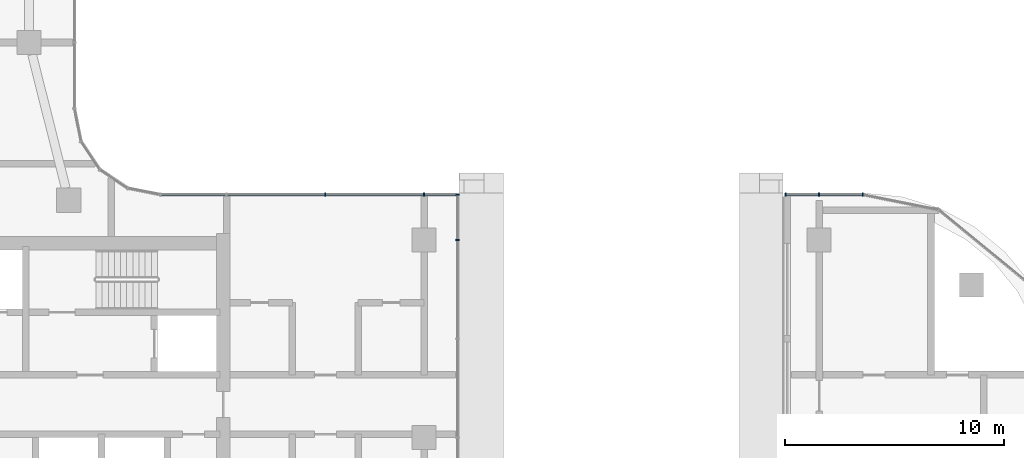
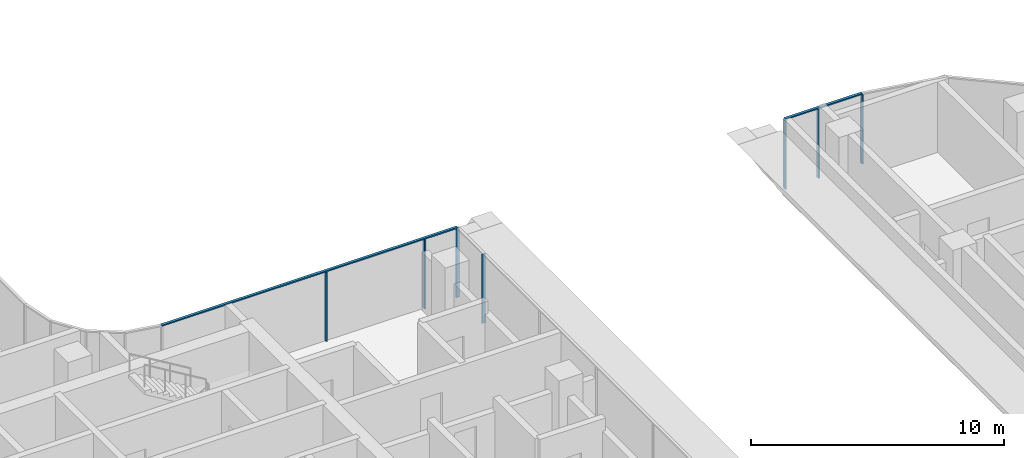
# One storey, part 4 of 23: 9 members, 3 elements without a shape of their own.
"""IFC4 building model written with IfcOpenShell, lengths in metres."""

from ifc_helpers import new_model, si_unit, direction, frame, origin, origin_2d, place, context, subcontext, project, spatial, rectangle, extrude, material, material_profile, profile_set, type_object, element, aggregate, save


model = new_model("IFC4")

# Units and contexts
model_context = context("Model", 3, precision=1e-05, world=origin(), true_north=direction((0.0, 1.0)))
body_context = subcontext(model_context, "Body", "Model", "MODEL_VIEW")
ifc_project = project(units=[si_unit("LENGTHUNIT", "METRE"), si_unit("AREAUNIT", "SQUARE_METRE"), si_unit("VOLUMEUNIT", "CUBIC_METRE"), si_unit("PLANEANGLEUNIT", "RADIAN"), si_unit("MASSUNIT", "GRAM", prefix="KILO")], contexts=[model_context])

# Site, building, storey
site_placement = place(None, origin())
site = spatial("IfcSite", under=ifc_project, at=site_placement, CompositionType="ELEMENT")
building_placement = place(site_placement, origin())
building = spatial("IfcBuilding", under=site, at=building_placement, Name="Ogive Portal Towers", CompositionType="ELEMENT")
storey_placement = place(building_placement, frame((0.0, 0.0, 175.5)))
storey = spatial("IfcBuildingStorey", under=building, at=storey_placement, Name="L43", CompositionType="ELEMENT", Elevation=175.5)

# Curtain wall, members
ifc_material_1 = material(Name="Glass, clear low-iron insulated glazing", Category="glass")
curtain_wall_type = type_object("IfcCurtainWallType", Name="CW FRONT RIBBON 4500", PredefinedType="NOTDEFINED", material=ifc_material_1)
curtain_wall_1_placement = place(storey_placement, origin())
curtain_wall_1 = element("IfcCurtainWall", 1, at=curtain_wall_1_placement, inside=storey, type_object=curtain_wall_type, Name="A:L43:f09:cw0", PredefinedType="NOTDEFINED")
ifc_material_2 = material(Name="Aluminium 6063 anodised", Category="aluminium")
ifc_material_profile_1 = material_profile(ifc_material_2, rectangle(XDim=0.159912109375, YDim=0.06005859375, at=origin_2d()), Name="AL 60x160")
ifc_profile_set_1 = profile_set([ifc_material_profile_1], Name="Aluminium 6063 anodised")
member_type_1 = type_object("IfcMemberType", Name="CW MULLION 60x160", PredefinedType="MULLION", material=ifc_profile_set_1)
member_1_placement = place(storey_placement, frame((69.02001953125, 39.5, 0.0), z_axis=(0.0, 0.0, 1.0), x_axis=(-1.0, 0.0, 0.0)))
member_1 = element("IfcMember", 2, at=member_1_placement, type_object=member_type_1, Name="mullion", PredefinedType="MULLION", context=body_context, shape_type="SweptSolid", body=[
    extrude(rectangle(XDim=0.159912109375, YDim=0.06005859375, at=origin_2d()), origin(), (0.0, 0.0, 1.0), 3.340087890625),
])
member_2_placement = place(storey_placement, frame((69.02001953125, 41.56494140625, 0.0), z_axis=(0.0, 0.0, 1.0), x_axis=(-1.0, 0.0, 0.0)))
member_2 = element("IfcMember", 3, at=member_2_placement, type_object=member_type_1, Name="mullion", PredefinedType="MULLION", context=body_context, shape_type="SweptSolid", body=[
    extrude(rectangle(XDim=0.159912109375, YDim=0.06005859375, at=origin_2d()), origin(), (0.0, 0.0, 1.0), 3.340087890625),
])
aggregate(curtain_wall_1, [member_1, member_2])

curtain_wall_2_placement = place(storey_placement, origin())
curtain_wall_2 = element("IfcCurtainWall", 4, at=curtain_wall_2_placement, inside=storey, type_object=curtain_wall_type, Name="A:L43:f10:cw0", PredefinedType="NOTDEFINED")
member_3_placement = place(storey_placement, frame((67.5, 41.56494140625, 0.0), z_axis=(0.0, 0.0, 1.0), x_axis=(0.0, -1.0, 0.0)))
member_3 = element("IfcMember", 5, at=member_3_placement, type_object=member_type_1, Name="mullion", PredefinedType="MULLION", context=body_context, shape_type="SweptSolid", body=[
    extrude(rectangle(XDim=0.159912109375, YDim=0.06005859375, at=origin_2d()), origin(), (0.0, 0.0, 1.0), 3.340087890625),
])
member_4_placement = place(storey_placement, frame((63.0, 41.56494140625, 0.0), z_axis=(0.0, 0.0, 1.0), x_axis=(0.0, -1.0, 0.0)))
member_4 = element("IfcMember", 6, at=member_4_placement, type_object=member_type_1, Name="mullion", PredefinedType="MULLION", context=body_context, shape_type="SweptSolid", body=[
    extrude(rectangle(XDim=0.159912109375, YDim=0.06005859375, at=origin_2d()), origin(), (0.0, 0.0, 1.0), 3.340087890625),
])

curtain_wall_3_placement = place(storey_placement, origin())
curtain_wall_3 = element("IfcCurtainWall", 7, at=curtain_wall_3_placement, inside=storey, type_object=curtain_wall_type, Name="A:L43:f34:cw0", PredefinedType="NOTDEFINED")
member_5_placement = place(storey_placement, frame((87.4921875, 41.56494140625, 0.0), z_axis=(0.0, 0.0, 1.0), x_axis=(0.0, -1.0, 0.0)))
member_5 = element("IfcMember", 8, at=member_5_placement, type_object=member_type_1, Name="mullion", PredefinedType="MULLION", context=body_context, shape_type="SweptSolid", body=[
    extrude(rectangle(XDim=0.159912109375, YDim=0.06005859375, at=origin_2d()), origin(), (0.0, 0.0, 1.0), 3.340087890625),
])
member_6_placement = place(storey_placement, frame((85.5, 41.56494140625, 0.0), z_axis=(0.0, 0.0, 1.0), x_axis=(0.0, -1.0, 0.0)))
member_6 = element("IfcMember", 9, at=member_6_placement, type_object=member_type_1, Name="mullion", PredefinedType="MULLION", context=body_context, shape_type="SweptSolid", body=[
    extrude(rectangle(XDim=0.159912109375, YDim=0.06005859375, at=origin_2d()), origin(), (0.0, 0.0, 1.0), 3.340087890625),
])
member_7_placement = place(storey_placement, frame((83.97998046875, 41.56494140625, 0.0), z_axis=(0.0, 0.0, 1.0), x_axis=(0.0, -1.0, 0.0)))
member_7 = element("IfcMember", 10, at=member_7_placement, type_object=member_type_1, Name="mullion", PredefinedType="MULLION", context=body_context, shape_type="SweptSolid", body=[
    extrude(rectangle(XDim=0.159912109375, YDim=0.06005859375, at=origin_2d()), origin(), (0.0, 0.0, 1.0), 3.340087890625),
])

# Member
ifc_material_profile_2 = material_profile(ifc_material_2, rectangle(XDim=0.1201171875, YDim=0.06005859375, at=origin_2d()), Name="AL 120x60")
ifc_profile_set_2 = profile_set([ifc_material_profile_2], Name="Aluminium 6063 anodised")
member_type_2 = type_object("IfcMemberType", Name="CW TRANSOM 60x120", PredefinedType="USERDEFINED", material=ifc_profile_set_2)
member_8_placement = place(storey_placement, frame((69.02001953125, 41.56494140625, 3.3701171875), z_axis=(-1.0, 0.0, 0.0), x_axis=(0.0, -1.0, 0.0)))
member_8 = element("IfcMember", 11, at=member_8_placement, type_object=member_type_2, Name="transom", ObjectType="TRANSOM", PredefinedType="USERDEFINED", context=body_context, shape_type="SweptSolid", body=[
    extrude(rectangle(XDim=0.1201171875, YDim=0.06005859375, at=origin_2d()), origin(), (0.0, 0.0, 1.0), 13.52783203125),
])

aggregate(curtain_wall_2, [member_8, member_3, member_4])

member_9_placement = place(storey_placement, frame((87.4921875, 41.56494140625, 3.3701171875), z_axis=(-1.0, 0.0, 0.0), x_axis=(0.0, -1.0, 0.0)))
member_9 = element("IfcMember", 12, at=member_9_placement, type_object=member_type_2, Name="transom", ObjectType="TRANSOM", PredefinedType="USERDEFINED", context=body_context, shape_type="SweptSolid", body=[
    extrude(rectangle(XDim=0.1201171875, YDim=0.06005859375, at=origin_2d()), origin(), (0.0, 0.0, 1.0), 3.51220703125),
])

aggregate(curtain_wall_3, [member_9, member_5, member_6, member_7])

save(model, "model.ifc")
